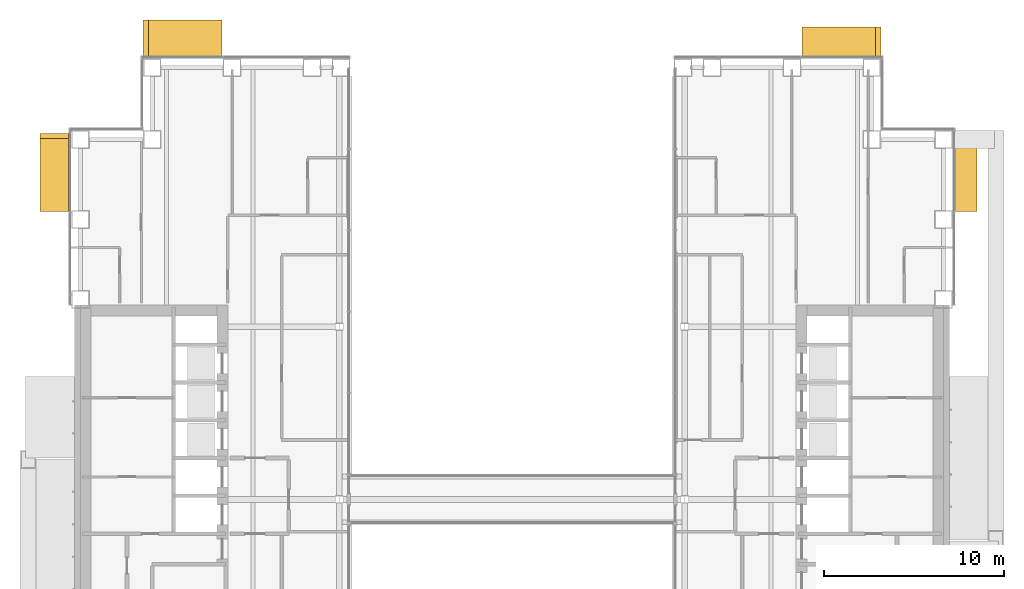
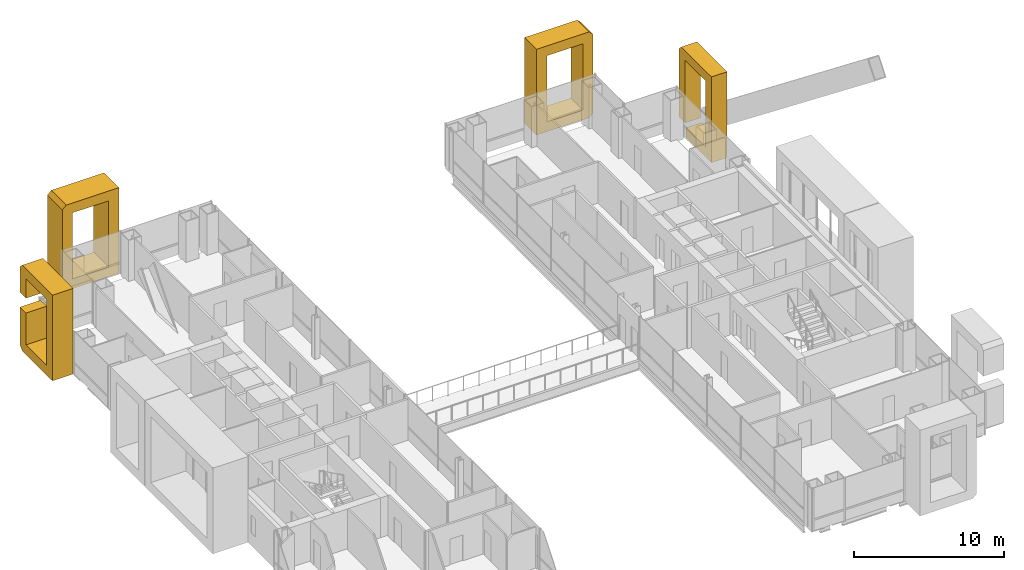
# One storey, part 25 of 26: 4 coverings.
"""IFC4 building model written with IfcOpenShell, lengths in metres."""

from ifc_helpers import new_model, si_unit, direction, frame, origin, place, context, subcontext, project, spatial, polyline, outline, extrude, material, type_object, element, save


model = new_model("IFC4")

# Units and contexts
model_context = context("Model", 3, precision=1e-05, world=origin(), true_north=direction((0.0, 1.0)))
body_context = subcontext(model_context, "Body", "Model", "MODEL_VIEW")
ifc_project = project(units=[si_unit("LENGTHUNIT", "METRE"), si_unit("AREAUNIT", "SQUARE_METRE"), si_unit("VOLUMEUNIT", "CUBIC_METRE"), si_unit("PLANEANGLEUNIT", "RADIAN"), si_unit("MASSUNIT", "GRAM", prefix="KILO")], contexts=[model_context])

# Site, building, storey
site_placement = place(None, origin())
site = spatial("IfcSite", under=ifc_project, at=site_placement, CompositionType="ELEMENT")
building_placement = place(site_placement, origin())
building = spatial("IfcBuilding", under=site, at=building_placement, Name="Cobrizo Arcos Hotel Tower", CompositionType="ELEMENT")
storey_placement = place(building_placement, frame((0.0, 0.0, 67.0)))
storey = spatial("IfcBuildingStorey", under=building, at=storey_placement, Name="L15", CompositionType="ELEMENT", Elevation=67.0)

# Coverings
ifc_material = material(Name="Aluminium 6063-T6 anodised bronze", Category="aluminium")
covering_type_1 = type_object("IfcCoveringType", Name="FIN-F 1200", PredefinedType="CLADDING", material=ifc_material)
covering_1_placement = place(storey_placement, frame((24.64990234375, 16.00830078125, 0.0), z_axis=(1.0, 0.0, 0.0), x_axis=(0.0, 1.0, 0.0)))
element("IfcCovering", 1, at=covering_1_placement, inside=storey, type_object=covering_type_1, Name="Fin frame 38", PredefinedType="CLADDING", context=body_context, shape_type="SweptSolid", body=[
    extrude(outline(polyline([(0.0, 0.0), (3.3896484375, 0.0), (3.3896484375, 0.800048828125), (0.800048828125, 0.800048828125), (0.800048828125, 6.199951171875), (3.541748046875, 6.199951171875), (3.541748046875, 1.10205078125), (4.341796875, 1.10205078125), (4.341796875, 6.699951171875), (4.041748046875, 7.0), (0.0, 7.0), (0.0, 0.0)])), origin(), (0.0, 0.0, 1.0), 1.2001953125),
])
covering_type_2 = type_object("IfcCoveringType", Name="FIN-F 1600", PredefinedType="CLADDING", material=ifc_material)
covering_2_placement = place(storey_placement, frame((20.5, 24.64990234375, 0.0), z_axis=(0.0, 1.0, 0.0), x_axis=(-1.0, 0.0, 0.0)))
element("IfcCovering", 2, at=covering_2_placement, inside=storey, type_object=covering_type_2, Name="Fin frame 15", PredefinedType="CLADDING", context=body_context, shape_type="SweptSolid", body=[
    extrude(outline(polyline([(0.0, 0.300048828125), (0.300048828125, 0.0), (4.375, 0.0), (4.375, 7.0), (0.300048828125, 7.0), (0.0, 6.699951171875), (0.0, 0.300048828125)]), holes=[polyline([(3.574951171875, 0.800048828125), (0.800048828125, 0.800048828125), (0.800048828125, 6.199951171875), (3.574951171875, 6.199951171875), (3.574951171875, 0.800048828125)])]), origin(), (0.0, 0.0, 1.0), 1.60009765625),
])
covering_3_placement = place(storey_placement, frame((-24.64990234375, 20.35009765625, 0.0), z_axis=(-1.0, 0.0, 0.0), x_axis=(0.0, -1.0, 0.0)))
element("IfcCovering", 3, at=covering_3_placement, inside=storey, type_object=covering_type_2, Name="Fin frame 77", PredefinedType="CLADDING", context=body_context, shape_type="SweptSolid", body=[
    extrude(outline(polyline([(0.0, 6.699951171875), (0.0, 4.60205078125), (0.800048828125, 4.60205078125), (0.800048828125, 6.199951171875), (3.541748046875, 6.199951171875), (3.541748046875, 0.800048828125), (0.800048828125, 0.800048828125), (0.800048828125, 3.39794921875), (0.0, 3.39794921875), (0.0, 0.300048828125), (0.300048828125, 0.0), (4.341796875, 0.0), (4.341796875, 7.0), (0.300048828125, 7.0), (0.0, 6.699951171875)])), origin(), (0.0, 0.0, 1.0), 1.60009765625),
])
covering_type_3 = type_object("IfcCoveringType", Name="FIN-F 2000", PredefinedType="CLADDING", material=ifc_material)
covering_4_placement = place(storey_placement, frame((-16.125, 24.64990234375, 0.0), z_axis=(0.0, 1.0, 0.0), x_axis=(-1.0, 0.0, 0.0)))
element("IfcCovering", 4, at=covering_4_placement, inside=storey, type_object=covering_type_3, Name="Fin frame 16", PredefinedType="CLADDING", context=body_context, shape_type="SweptSolid", body=[
    extrude(outline(polyline([(0.0, 7.0), (0.0, 0.0), (4.074951171875, 0.0), (4.375, 0.300048828125), (4.375, 6.699951171875), (4.074951171875, 7.0), (0.0, 7.0)]), holes=[polyline([(3.574951171875, 0.800048828125), (0.800048828125, 0.800048828125), (0.800048828125, 6.199951171875), (3.574951171875, 6.199951171875), (3.574951171875, 0.800048828125)])]), origin(), (0.0, 0.0, 1.0), 2.0),
])

save(model, "model.ifc")
